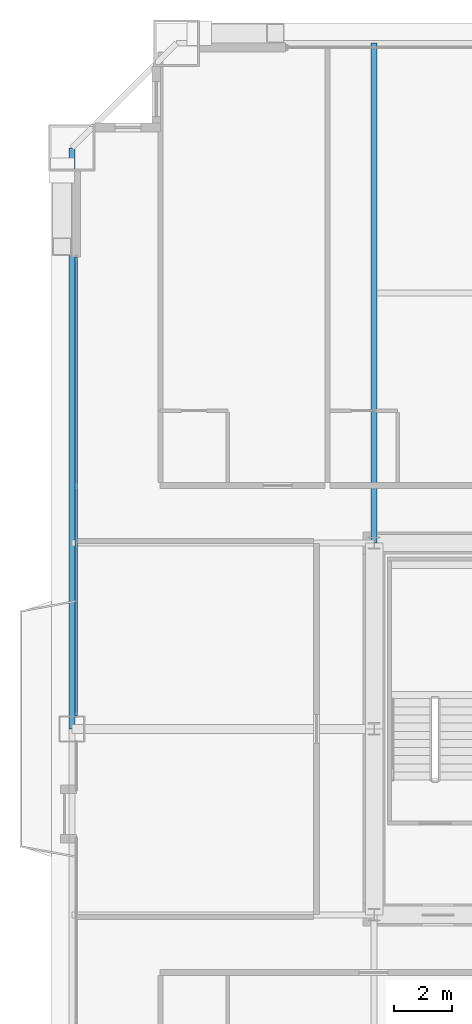
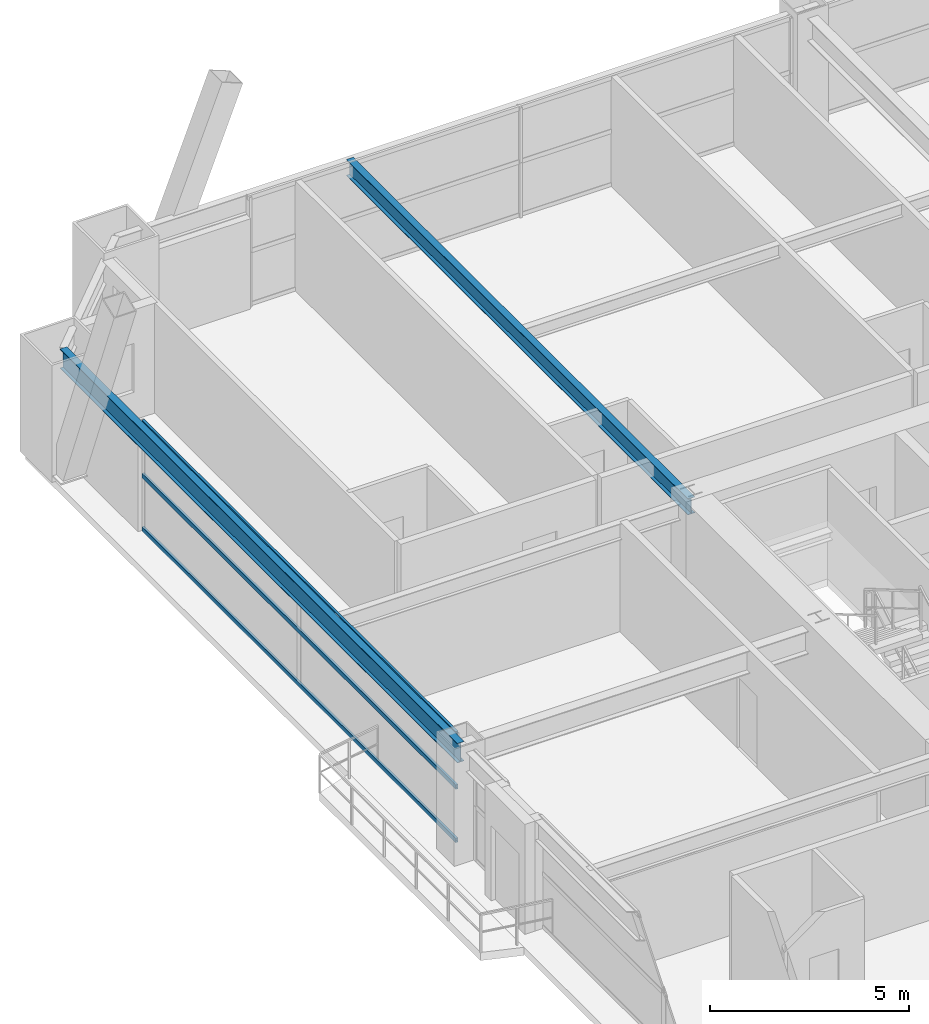
# One storey, part 22 of 41: 3 members, 2 beams, 1 element without a shape of its own.
"""IFC4 building model written with IfcOpenShell, lengths in metres."""

import ifcopenshell
import ifcopenshell.guid

model = None  # the IFC model being written
_history = None  # IfcOwnerHistory: only IFC2X3 demands one
_inside = {}  # id of a spatial element -> (the spatial element, [elements in it])
_under = {}  # id of a project, library or spatial element -> (it, [spatial elements below it])
_declared = {}  # id of a project -> (the project, [libraries it declares])
_typed = {}  # id of a type object -> (the type object, [elements of that type])
_made_of = {}  # id of a material, layer set ... -> (it, [elements and type objects made of it])


def new_model(schema):
    """Start an empty IFC model of exactly this schema.

    Asked for "IFC4X3", IfcOpenShell would pick the latest addendum, in which some entities
    have other attributes; the version numbers below select the first issue.
    IFC2X3 requires an IfcOwnerHistory on every rooted entity: one is made here for all.
    """
    global model, _history
    if schema == "IFC4X3":
        model = ifcopenshell.file(schema_version=(4, 3, 0, 0))
    else:
        model = ifcopenshell.file(schema=schema)
    _inside.clear()
    _under.clear()
    _declared.clear()
    _typed.clear()
    _made_of.clear()
    _history = None
    if model.schema == "IFC2X3":
        org = make("IfcOrganization", Name="unknown")
        user = make(
            "IfcPersonAndOrganization",
            ThePerson=make("IfcPerson", FamilyName="unknown"),
            TheOrganization=org,
        )
        app = make(
            "IfcApplication",
            ApplicationDeveloper=org,
            Version="unknown",
            ApplicationFullName="unknown",
            ApplicationIdentifier="unknown",
        )
        _history = make(
            "IfcOwnerHistory",
            OwningUser=user,
            OwningApplication=app,
            ChangeAction="ADDED",
            CreationDate=0,
        )
    return model


def make(cls, **values):
    """One entity of the class cls with the attributes given. An attribute that is None is left unset."""
    return model.create_entity(
        cls, **{name: value for name, value in values.items() if value is not None}
    )


def rooted(cls, **values):
    """An entity with a GlobalId (a new one), such as an element, a storey or a relation."""
    return make(cls, GlobalId=ifcopenshell.guid.new(), OwnerHistory=_history, **values)


def si_unit(unit_type, name, prefix=None):
    """IfcSIUnit, for example si_unit("LENGTHUNIT", "METRE", prefix="MILLI")."""
    return make("IfcSIUnit", UnitType=unit_type, Prefix=prefix, Name=name)


def assignment(units):
    """IfcUnitAssignment: the units of a project."""
    return None if units is None else make("IfcUnitAssignment", Units=units)


def point(xyz):
    """IfcCartesianPoint."""
    return None if xyz is None else make("IfcCartesianPoint", Coordinates=xyz)


def direction(xyz):
    """IfcDirection."""
    return None if xyz is None else make("IfcDirection", DirectionRatios=xyz)


def frame(location, z_axis=None, x_axis=None):
    """IfcAxis2Placement3D, a coordinate frame: its origin and axes. An axis left out is left unset."""
    return make(
        "IfcAxis2Placement3D",
        Location=point(location),
        Axis=direction(z_axis),
        RefDirection=direction(x_axis),
    )


def frame_2d(location, x_axis=None):
    """IfcAxis2Placement2D, a coordinate frame in the plane: its origin and x axis."""
    return make(
        "IfcAxis2Placement2D", Location=point(location), RefDirection=direction(x_axis)
    )


def origin():
    """The frame at (0, 0, 0) with its axes left unset."""
    return frame((0.0, 0.0, 0.0))


def origin_2d():
    """The frame at (0, 0) in the plane with its x axis left unset."""
    return frame_2d((0.0, 0.0))


def place(relative_to, where):
    """IfcLocalPlacement: puts the frame where relative to a parent placement (None: the world)."""
    return make(
        "IfcLocalPlacement", PlacementRelTo=relative_to, RelativePlacement=where
    )


def context(
    kind, dimensions, precision=None, world=None, true_north=None, identifier=None
):
    """IfcGeometricRepresentationContext, for example the 3D "Model" context."""
    return make(
        "IfcGeometricRepresentationContext",
        ContextIdentifier=identifier,
        ContextType=kind,
        CoordinateSpaceDimension=dimensions,
        Precision=precision,
        WorldCoordinateSystem=world,
        TrueNorth=true_north,
    )


def subcontext(parent, identifier, kind, view, scale=None):
    """IfcGeometricRepresentationSubContext, for example "Body" below "Model"."""
    return make(
        "IfcGeometricRepresentationSubContext",
        ContextIdentifier=identifier,
        ContextType=kind,
        ParentContext=parent,
        TargetScale=scale,
        TargetView=view,
    )


def project(units=None, contexts=None):
    """IfcProject with its units and contexts."""
    return rooted(
        "IfcProject",
        Name="project",
        RepresentationContexts=contexts,
        UnitsInContext=assignment(units),
    )


def spatial(cls, under=None, at=None, **own):
    """A site, building, storey or space (cls), placed at a placement, below another one or the project."""
    s = rooted(cls, ObjectPlacement=at, **own)
    if under is not None:
        _under.setdefault(under.id(), (under, []))[1].append(s)
    return s


def profile(cls, at=None, kind="AREA", **sizes):
    """A parametric profile (cls). Its sizes go by their IFC names, for example OverallWidth=200.0."""
    return make(cls, ProfileType=kind, Position=at, **sizes)


def hollow_rectangle(**sizes):
    """IfcRectangleHollowProfileDef."""
    return profile("IfcRectangleHollowProfileDef", **sizes)


def i_section(**sizes):
    """IfcIShapeProfileDef."""
    return profile("IfcIShapeProfileDef", **sizes)


def extrude(swept, where, along, depth):
    """IfcExtrudedAreaSolid: the profile swept, set in the frame where, extruded along a direction by depth."""
    return make(
        "IfcExtrudedAreaSolid",
        SweptArea=swept,
        Position=where,
        ExtrudedDirection=direction(along),
        Depth=depth,
    )


def shape(context_of_items, identifier, shape_type, items):
    """IfcShapeRepresentation: the items that make up one representation, for example the "Body"."""
    return make(
        "IfcShapeRepresentation",
        ContextOfItems=context_of_items,
        RepresentationIdentifier=identifier,
        RepresentationType=shape_type,
        Items=items,
    )


def source(mapping_origin, context_of_items, identifier, shape_type, items):
    """IfcRepresentationMap: a shape defined once, which mapped items show again and again."""
    return make(
        "IfcRepresentationMap",
        MappingOrigin=mapping_origin,
        MappedRepresentation=shape(context_of_items, identifier, shape_type, items),
    )


def transform(
    local_origin,
    x_axis=None,
    y_axis=None,
    z_axis=None,
    scale=None,
    scale2=None,
    scale3=None,
    uniform=True,
):
    """IfcCartesianTransformationOperator3D, or its non-uniform kind. x_axis, y_axis, z_axis: its Axis1, 2, 3."""
    if uniform:
        return make(
            "IfcCartesianTransformationOperator3D",
            Axis1=direction(x_axis),
            Axis2=direction(y_axis),
            LocalOrigin=point(local_origin),
            Scale=scale,
            Axis3=direction(z_axis),
        )
    return make(
        "IfcCartesianTransformationOperator3DnonUniform",
        Axis1=direction(x_axis),
        Axis2=direction(y_axis),
        LocalOrigin=point(local_origin),
        Scale=scale,
        Axis3=direction(z_axis),
        Scale2=scale2,
        Scale3=scale3,
    )


def mapped(mapping_source, mapping_target):
    """IfcMappedItem: shows the shape of a source again, moved by a transform."""
    return make(
        "IfcMappedItem", MappingSource=mapping_source, MappingTarget=mapping_target
    )


def material(Name=None, Category=None):
    """IfcMaterial."""
    return make("IfcMaterial", Name=Name, Category=Category)


def layer(
    of_material, thickness, ventilated=None, Name=None, Category=None, Priority=None
):
    """IfcMaterialLayer: one layer of a wall or slab, of a material (None: an air gap)."""
    return make(
        "IfcMaterialLayer",
        Material=of_material,
        LayerThickness=thickness,
        IsVentilated=ventilated,
        Name=Name,
        Category=Category,
        Priority=Priority,
    )


def layer_set(layers, Name=None):
    """IfcMaterialLayerSet."""
    return make("IfcMaterialLayerSet", MaterialLayers=layers, LayerSetName=Name)


def material_profile(
    of_material, cross_section, Name=None, Category=None, Priority=None
):
    """IfcMaterialProfile: a cross section and its material."""
    return make(
        "IfcMaterialProfile",
        Name=Name,
        Material=of_material,
        Profile=cross_section,
        Priority=Priority,
        Category=Category,
    )


def profile_set(profiles, Name=None, composite=None):
    """IfcMaterialProfileSet."""
    return make(
        "IfcMaterialProfileSet",
        Name=Name,
        MaterialProfiles=profiles,
        CompositeProfile=composite,
    )


def made_of(thing, what):
    """Note that an element or type object is made of a material, layer set ...; save() writes the relation."""
    if what is not None:
        _made_of.setdefault(what.id(), (what, []))[1].append(thing)
    return thing


def type_object(cls, material=None, **own):
    """A type object (cls), such as IfcWallType, which elements share."""
    return made_of(rooted(cls, **own), material)


def element(
    cls,
    number,
    at=None,
    inside=None,
    cuts=None,
    type_object=None,
    material=None,
    context=None,
    identifier="Body",
    shape_type=None,
    held_by="IfcProductDefinitionShape",
    body=None,
    shapes=None,
    **own,
):
    """One element of the class cls, such as IfcWall. Its Tag is "e" and its number.

    at: its placement. inside: the storey or other place that contains it. cuts: it is an
    opening in that element (IfcRelVoidsElement). A single representation is given by context,
    identifier, shape_type and body (its items); several are given by shapes. held_by: the class
    of the entity that holds the representations. save() writes the other relations.
    """
    e = rooted(cls, Tag="e%d" % number, ObjectPlacement=at, **own)
    if body is not None:
        shapes = [shape(context, identifier, shape_type, body)]
    if shapes is not None:
        e.Representation = make(held_by, Representations=shapes)
    if inside is not None:
        _inside.setdefault(inside.id(), (inside, []))[1].append(e)
    if cuts is not None:
        rooted(
            "IfcRelVoidsElement", RelatingBuildingElement=cuts, RelatedOpeningElement=e
        )
    if type_object is not None:
        _typed.setdefault(type_object.id(), (type_object, []))[1].append(e)
    return made_of(e, material)


def aggregate(whole, parts):
    """IfcRelAggregates: a whole, such as a stair, and the parts it consists of."""
    return rooted("IfcRelAggregates", RelatingObject=whole, RelatedObjects=parts)


def save(model, path):
    """Write the relations noted so far, then the file.

    IfcRelAggregates (storeys below a building ...), IfcRelContainedInSpatialStructure (elements
    in a storey), IfcRelDefinesByType, IfcRelAssociatesMaterial and IfcRelDeclares: one each for
    every whole, place, type object, material and project.
    """
    for whole, parts in _under.values():
        aggregate(whole, parts)
    for where, things in _inside.values():
        rooted(
            "IfcRelContainedInSpatialStructure",
            RelatedElements=things,
            RelatingStructure=where,
        )
    for kind, things in _typed.values():
        rooted("IfcRelDefinesByType", RelatedObjects=things, RelatingType=kind)
    for what, things in _made_of.values():
        rooted("IfcRelAssociatesMaterial", RelatedObjects=things, RelatingMaterial=what)
    for by, libraries in _declared.values():
        rooted("IfcRelDeclares", RelatingContext=by, RelatedDefinitions=libraries)
    model.write(path)


model = new_model("IFC4")

# Units and contexts
model_context = context("Model", 3, precision=1e-05, world=origin(), true_north=direction((0.0, 1.0)))
body_context = subcontext(model_context, "Body", "Model", "MODEL_VIEW")
ifc_project = project(units=[si_unit("LENGTHUNIT", "METRE"), si_unit("AREAUNIT", "SQUARE_METRE"), si_unit("VOLUMEUNIT", "CUBIC_METRE"), si_unit("PLANEANGLEUNIT", "RADIAN"), si_unit("MASSUNIT", "GRAM", prefix="KILO"), si_unit("THERMODYNAMICTEMPERATUREUNIT", "KELVIN"), si_unit("POWERUNIT", "WATT")], contexts=[model_context])

# Site, building, storey
site_placement = place(None, origin())
site = spatial("IfcSite", under=ifc_project, at=site_placement, CompositionType="ELEMENT")
building_placement = place(site_placement, origin())
building = spatial("IfcBuilding", under=site, at=building_placement, Name="Yuzanri Waterfront Tower", CompositionType="ELEMENT")
storey_placement = place(building_placement, frame((0.0, 0.0, 115.39990234375)))
storey = spatial("IfcBuildingStorey", under=building, at=storey_placement, Name="L30", CompositionType="ELEMENT", Elevation=115.39990234375)

# Beams
ifc_material_1 = material(Name="Steel Q355B", Category="steel")
ifc_material_profile_1 = material_profile(ifc_material_1, i_section(OverallWidth=0.199951171875, OverallDepth=0.60009765625, WebThickness=0.010986328125, FlangeThickness=0.01708984375, at=origin_2d()), Name="HN 600x200x11x17")
ifc_profile_set_1 = profile_set([ifc_material_profile_1], Name="Steel Q355B")
beam_type_1 = type_object("IfcBeamType", Name="Perimeter Spandrel Q355B HN 600x200", PredefinedType="SPANDREL", material=ifc_profile_set_1)
shared_shape_1 = source(origin(), body_context, "Body", "SweptSolid", [
    extrude(i_section(OverallWidth=0.199951171875, OverallDepth=0.60009765625, WebThickness=0.010986328125, FlangeThickness=0.01708984375, at=origin_2d()), origin(), (0.0, 0.0, 1.0), 20.0),
])
beam_1_placement = place(storey_placement, frame((13.39990234375, 45.800048828125, 3.080078125), z_axis=(0.0, -1.0, 0.0), x_axis=(1.0, 0.0, 0.0)))
element("IfcBeam", 1, at=beam_1_placement, inside=storey, type_object=beam_type_1, Name="L30 Perimeter Spandrel W3-W2", PredefinedType="SPANDREL", context=body_context, shape_type="MappedRepresentation", body=[
    mapped(shared_shape_1, transform((0.0, 0.0, 0.0), scale=1.0)),
])
ifc_material_2 = material(Name="Steel Q355B", Category="steel")
ifc_material_profile_2 = material_profile(ifc_material_2, i_section(OverallWidth=0.199951171875, OverallDepth=0.5, WebThickness=0.010009765625, FlangeThickness=0.01611328125, at=origin_2d()), Name="HN 500x200x10x16")
ifc_profile_set_2 = profile_set([ifc_material_profile_2], Name="Steel Q355B")
beam_type_2 = type_object("IfcBeamType", Name="Secondary Floor Beam Q355B HN 500x200", PredefinedType="BEAM", material=ifc_profile_set_2)
shared_shape_2 = source(origin(), body_context, "Body", "SweptSolid", [
    extrude(i_section(OverallWidth=0.199951171875, OverallDepth=0.5, WebThickness=0.010009765625, FlangeThickness=0.01611328125, at=origin_2d()), origin(), (0.0, 0.0, 1.0), 17.199951171875),
])
beam_2_placement = place(storey_placement, frame((23.800048828125, 32.199951171875, 3.130126953125), z_axis=(0.0, 1.0, 0.0), x_axis=(-1.0, 0.0, 0.0)))
element("IfcBeam", 2, at=beam_2_placement, inside=storey, type_object=beam_type_2, Name="L30 North-West Core Line Beam", PredefinedType="BEAM", context=body_context, shape_type="MappedRepresentation", body=[
    mapped(shared_shape_2, transform((0.0, 0.0, 0.0), scale=1.0)),
])

# Curtain wall, members
ifc_material_3 = material(Name="Anodized Architectural Bronze", Category="metal")
ifc_layer = layer(ifc_material_3, 0.159912109375)
ifc_layer_set = layer_set([ifc_layer], Name="Anodized Architectural Bronze")
curtain_wall_type = type_object("IfcCurtainWallType", Name="Anodized Bronze Hotel Upper-Tier Solar-Control Unitized Curtain Wall 7800", PredefinedType="NOTDEFINED", material=ifc_layer_set)
curtain_wall_placement = place(storey_placement, origin())
curtain_wall = element("IfcCurtainWall", 3, at=curtain_wall_placement, inside=storey, type_object=curtain_wall_type, Name="L30 Curtain Wall CW-L30-WR", PredefinedType="NOTDEFINED")
ifc_material_4 = material(Name="Anodized Architectural Bronze", Category="metal")
ifc_material_profile_3 = material_profile(ifc_material_4, hollow_rectangle(XDim=0.070068359375, YDim=0.135009765625, WallThickness=0.00341796875, at=origin_2d()), Name="CWT 70x135")
ifc_profile_set_3 = profile_set([ifc_material_profile_3], Name="Anodized Architectural Bronze")
member_type = type_object("IfcMemberType", Name="Anodized Bronze Standard Curtain-Wall Transom 70x135", PredefinedType="USERDEFINED", material=ifc_profile_set_3)
shared_shape_3 = source(origin(), body_context, "Body", "SweptSolid", [
    extrude(hollow_rectangle(XDim=0.070068359375, YDim=0.135009765625, WallThickness=0.00341796875, at=origin_2d()), origin(), (0.0, 0.0, 1.0), 15.800048828125),
])
member_1_placement = place(storey_placement, frame((13.550048828125, 26.25, 0.050048828125), z_axis=(0.0, 1.0, 0.0), x_axis=(-1.0, 0.0, 0.0)))
member_1 = element("IfcMember", 4, at=member_1_placement, type_object=member_type, Name="CW-L30-WR Transom 1", ObjectType="TRANSOM", PredefinedType="USERDEFINED", context=body_context, shape_type="MappedRepresentation", body=[
    mapped(shared_shape_3, transform((0.0, 0.0, 0.0), scale=1.0)),
])
member_2_placement = place(storey_placement, frame((13.550048828125, 26.25, 1.690185546875), z_axis=(0.0, 1.0, 0.0), x_axis=(-1.0, 0.0, 0.0)))
member_2 = element("IfcMember", 5, at=member_2_placement, type_object=member_type, Name="CW-L30-WR Transom 2", ObjectType="TRANSOM", PredefinedType="USERDEFINED", context=body_context, shape_type="MappedRepresentation", body=[
    mapped(shared_shape_3, transform((0.0, 0.0, 0.0), scale=1.0)),
])
member_3_placement = place(storey_placement, frame((13.550048828125, 26.25, 3.330078125), z_axis=(0.0, 1.0, 0.0), x_axis=(-1.0, 0.0, 0.0)))
member_3 = element("IfcMember", 6, at=member_3_placement, type_object=member_type, Name="CW-L30-WR Transom 3", ObjectType="TRANSOM", PredefinedType="USERDEFINED", context=body_context, shape_type="MappedRepresentation", body=[
    mapped(shared_shape_3, transform((0.0, 0.0, 0.0), scale=1.0)),
])
aggregate(curtain_wall, [member_1, member_2, member_3])

save(model, "model.ifc")
